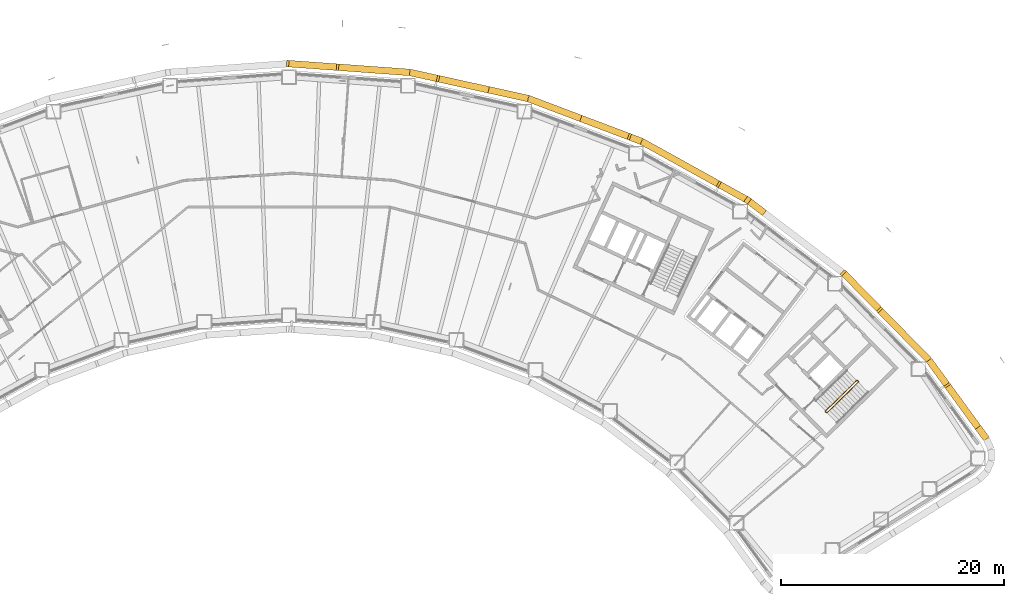
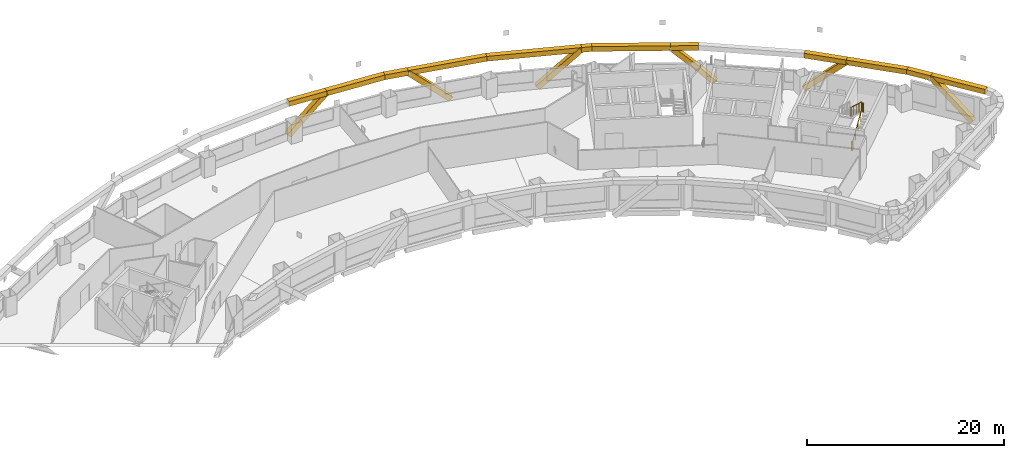
# One storey, part 18 of 19: 19 coverings, 1 railing.
"""IFC4 building model written with IfcOpenShell, lengths in metres."""

from ifc_helpers import new_model, si_unit, direction, frame, origin, origin_2d, place, context, subcontext, project, spatial, rectangle, circle, extrude, material, material_profile, profile_set, type_object, element, save


model = new_model("IFC4")

# Units and contexts
model_context = context("Model", 3, precision=1e-05, world=origin(), true_north=direction((0.0, 1.0)))
body_context = subcontext(model_context, "Body", "Model", "MODEL_VIEW")
ifc_project = project(units=[si_unit("LENGTHUNIT", "METRE"), si_unit("AREAUNIT", "SQUARE_METRE"), si_unit("VOLUMEUNIT", "CUBIC_METRE"), si_unit("PLANEANGLEUNIT", "RADIAN"), si_unit("MASSUNIT", "GRAM", prefix="KILO")], contexts=[model_context])

# Site, building, storey
site_placement = place(None, origin())
site = spatial("IfcSite", under=ifc_project, at=site_placement, CompositionType="ELEMENT")
building_placement = place(site_placement, origin())
building = spatial("IfcBuilding", under=site, at=building_placement, Name="Tuul Gate Civic Tower", CompositionType="ELEMENT")
storey_placement = place(building_placement, frame((0.0, 0.0, 56.699951171875)))
storey = spatial("IfcBuildingStorey", under=building, at=storey_placement, Name="Level 12", CompositionType="ELEMENT", Elevation=56.699951171875)

# Railing
ifc_material_1 = material(Name="Painted steel", Category="steel")
railing_type = type_object("IfcRailingType", Name="Stair guard", PredefinedType="GUARDRAIL", material=ifc_material_1)
railing_placement = place(storey_placement, frame((48.10546875, -16.134765625, 0.0)))
element("IfcRailing", 1, at=railing_placement, inside=storey, type_object=railing_type, Name="Level 12 ST-3 stair guard 1", PredefinedType="GUARDRAIL", context=body_context, shape_type="SweptSolid", body=[
    extrude(circle(Radius=0.02392578125, at=origin_2d()), frame((0.0, 0.0, 1.076171875), z_axis=(-0.698506948293, 0.715603272202, 0.0), x_axis=(-0.715603272202, -0.698506948293, 0.0)), (0.0, 0.0, 1.0), 0.099853515625),
    extrude(circle(Radius=0.02392578125, at=origin_2d()), frame((-0.06982421875, 0.071533203125, 1.076171875), z_axis=(0.644948864628, -0.331432055434, 0.688617277337), x_axis=(0.457068866502, 0.889431307788, 0.0)), (0.0, 0.0, 1.0), 0.218017578125),
    extrude(circle(Radius=0.02392578125, at=origin_2d()), frame((0.07080078125, -0.000732421875, 1.22607421875), z_axis=(0.638731261263, 0.626133563701, 0.447190268558), x_axis=(-0.700029477518, 0.714113947914, 0.0)), (0.0, 0.0, 1.0), 4.3603515625),
    extrude(circle(Radius=0.02392578125, at=origin_2d()), frame((2.85595703125, 2.7294921875, 3.17626953125), z_axis=(0.010380063588, 0.999946125689, 0.0), x_axis=(-0.999946125689, 0.010380063588, 0.0)), (0.0, 0.0, 1.0), 0.070556640625),
    extrude(circle(Radius=0.02392578125, at=origin_2d()), frame((2.856689453125, 2.800048828125, 3.17626953125), z_axis=(-0.699754442181, 0.714383454909, 0.0), x_axis=(-0.714383454909, -0.699754442181, 0.0)), (0.0, 0.0, 1.0), 0.10009765625),
    extrude(circle(Radius=0.02392578125, at=origin_2d()), frame((2.78662109375, 2.87158203125, 3.17626953125), z_axis=(-0.427069033481, 0.004417955519, 0.904208229508), x_axis=(-0.010344274102, -0.999946496565, 0.0)), (0.0, 0.0, 1.0), 0.165771484375),
    extrude(circle(Radius=0.02392578125, at=origin_2d()), frame((2.7158203125, 2.872314453125, 3.326171875), z_axis=(-0.638731261263, -0.626133563701, 0.447190268558), x_axis=(0.700029477518, -0.714113947914, 0.0)), (0.0, 0.0, 1.0), 4.3603515625),
    extrude(circle(Radius=0.02099609375, at=origin_2d()), origin(), (0.0, 0.0, 1.0), 1.052001953125),
    extrude(circle(Radius=0.02099609375, at=origin_2d()), frame((-0.06982421875, 0.071533203125, 0.0)), (0.0, 0.0, 1.0), 1.052001953125),
    extrude(circle(Radius=0.02099609375, at=origin_2d()), frame((0.07080078125, -0.000732421875, 0.150146484375)), (0.0, 0.0, 1.0), 1.052001953125),
    extrude(circle(Radius=0.02099609375, at=origin_2d()), frame((0.76708984375, 0.681884765625, 0.6376953125)), (0.0, 0.0, 1.0), 1.052001953125),
    extrude(circle(Radius=0.02099609375, at=origin_2d()), frame((1.46337890625, 1.3642578125, 1.125)), (0.0, 0.0, 1.0), 1.052001953125),
    extrude(circle(Radius=0.02099609375, at=origin_2d()), frame((2.15966796875, 2.046875, 1.612548828125)), (0.0, 0.0, 1.0), 1.052001953125),
    extrude(circle(Radius=0.02099609375, at=origin_2d()), frame((2.85595703125, 2.7294921875, 2.10009765625)), (0.0, 0.0, 1.0), 1.052001953125),
    extrude(circle(Radius=0.02099609375, at=origin_2d()), frame((2.856689453125, 2.800048828125, 2.10009765625)), (0.0, 0.0, 1.0), 1.052001953125),
    extrude(circle(Radius=0.02099609375, at=origin_2d()), frame((2.78662109375, 2.87158203125, 2.10009765625)), (0.0, 0.0, 1.0), 1.052001953125),
    extrude(circle(Radius=0.02099609375, at=origin_2d()), frame((2.7158203125, 2.872314453125, 2.25)), (0.0, 0.0, 1.0), 1.052001953125),
    extrude(circle(Radius=0.02099609375, at=origin_2d()), frame((2.01953125, 2.189697265625, 2.737548828125)), (0.0, 0.0, 1.0), 1.052001953125),
    extrude(circle(Radius=0.02099609375, at=origin_2d()), frame((1.3232421875, 1.50732421875, 3.22509765625)), (0.0, 0.0, 1.0), 1.052001953125),
    extrude(circle(Radius=0.02099609375, at=origin_2d()), frame((0.626953125, 0.82470703125, 3.71240234375)), (0.0, 0.0, 1.0), 1.052001953125),
    extrude(circle(Radius=0.02099609375, at=origin_2d()), frame((-0.0693359375, 0.14208984375, 4.199951171875)), (0.0, 0.0, 1.0), 1.052001953125),
])

# Coverings
ifc_material_2 = material(Name="Terracotta baguette", Category="masonry")
ifc_material_profile = material_profile(ifc_material_2, rectangle(XDim=0.60009765625, YDim=0.60009765625, at=origin_2d()), Name="Terracotta baguette screen frame")
ifc_profile_set = profile_set([ifc_material_profile], Name="Terracotta baguette")
covering_type = type_object("IfcCoveringType", Name="Terracotta baguette screen frame", PredefinedType="CLADDING", material=ifc_profile_set)
covering_1_placement = place(storey_placement, frame((61.5595703125, -17.285888671875, -0.349853515625), z_axis=(-0.43381273789, 0.593947335463, 0.677519793911), x_axis=(-0.807537279361, -0.589816532866, 0.0)))
element("IfcCovering", 2, at=covering_1_placement, inside=storey, type_object=covering_type, Name="Baguette 20", PredefinedType="CLADDING", context=body_context, shape_type="SweptSolid", body=[
    extrude(rectangle(XDim=0.60009765625, YDim=0.60009765625, at=origin_2d()), origin(), (0.0, 0.0, 1.0), 6.198974609375),
])
covering_2_placement = place(storey_placement, frame((58.870361328125, -13.60400390625, 3.85009765625), z_axis=(-0.589822441222, 0.807532963928, 0.0), x_axis=(-0.807532963928, -0.589822441222, 0.0)))
element("IfcCovering", 3, at=covering_2_placement, inside=storey, type_object=covering_type, Name="Baguette 25", PredefinedType="CLADDING", context=body_context, shape_type="SweptSolid", body=[
    extrude(rectangle(XDim=0.60009765625, YDim=0.60009765625, at=origin_2d()), origin(), (0.0, 0.0, 1.0), 2.68017578125),
])
covering_3_placement = place(storey_placement, frame((57.28955078125, -11.439697265625, 3.85009765625), z_axis=(-0.700001676443, 0.714141199607, 0.0), x_axis=(-0.714141199607, -0.700001676443, 0.0)))
element("IfcCovering", 4, at=covering_3_placement, inside=storey, type_object=covering_type, Name="Baguette 26", PredefinedType="CLADDING", context=body_context, shape_type="SweptSolid", body=[
    extrude(rectangle(XDim=0.60009765625, YDim=0.60009765625, at=origin_2d()), origin(), (0.0, 0.0, 1.0), 6.406005859375),
])
covering_4_placement = place(storey_placement, frame((52.805419921875, -6.864990234375, 3.85009765625), z_axis=(-0.513638362215, 0.524035247313, -0.67938405371), x_axis=(-0.714155733534, -0.699986848634, 0.0)))
element("IfcCovering", 5, at=covering_4_placement, inside=storey, type_object=covering_type, Name="Baguette 29", PredefinedType="CLADDING", context=body_context, shape_type="SweptSolid", body=[
    extrude(rectangle(XDim=0.60009765625, YDim=0.60009765625, at=origin_2d()), origin(), (0.0, 0.0, 1.0), 6.058349609375),
])
covering_5_placement = place(storey_placement, frame((42.4033203125, 1.86083984375, -0.349853515625), z_axis=(-0.583849714634, 0.444519530098, 0.679354030005), x_axis=(-0.605768691074, -0.795640806467, 0.0)))
element("IfcCovering", 6, at=covering_5_placement, inside=storey, type_object=covering_type, Name="Baguette 43", PredefinedType="CLADDING", context=body_context, shape_type="SweptSolid", body=[
    extrude(rectangle(XDim=0.60009765625, YDim=0.60009765625, at=origin_2d()), origin(), (0.0, 0.0, 1.0), 2.30078125),
])
covering_6_placement = place(storey_placement, frame((41.06005859375, 2.883544921875, 1.213134765625), z_axis=(-0.641770280565, 0.355763276181, 0.679384573202), x_axis=(-0.484834849005, -0.874605722135, 0.0)))
element("IfcCovering", 7, at=covering_6_placement, inside=storey, type_object=covering_type, Name="Baguette 44", PredefinedType="CLADDING", context=body_context, shape_type="SweptSolid", body=[
    extrude(rectangle(XDim=0.60009765625, YDim=0.60009765625, at=origin_2d()), origin(), (0.0, 0.0, 1.0), 3.88134765625),
])
covering_7_placement = place(storey_placement, frame((38.569091796875, 4.264404296875, 3.85009765625), z_axis=(-0.874634570388, 0.484782805267, 0.0), x_axis=(-0.484782805267, -0.874634570388, 0.0)))
element("IfcCovering", 8, at=covering_7_placement, inside=storey, type_object=covering_type, Name="Baguette 49", PredefinedType="CLADDING", context=body_context, shape_type="SweptSolid", body=[
    extrude(rectangle(XDim=0.60009765625, YDim=0.60009765625, at=origin_2d()), origin(), (0.0, 0.0, 1.0), 8.00341796875),
])
covering_8_placement = place(storey_placement, frame((31.569091796875, 8.144287109375, 3.85009765625), z_axis=(-0.935349569551, 0.353724727352, 0.0), x_axis=(-0.353724727352, -0.935349569551, 0.0)))
element("IfcCovering", 9, at=covering_8_placement, inside=storey, type_object=covering_type, Name="Baguette 50", PredefinedType="CLADDING", context=body_context, shape_type="SweptSolid", body=[
    extrude(rectangle(XDim=0.60009765625, YDim=0.60009765625, at=origin_2d()), origin(), (0.0, 0.0, 1.0), 1.069091796875),
])
for number, where, z_axis, x_axis, name in (
    (10, (30.569091796875, 8.5224609375, 3.85009765625), (-0.686369339444, 0.259501319303, -0.679379271947), (-0.353646511094, -0.935379145155, 0.0), "Baguette 52"),
    (11, (17.682373046875, 12.8056640625, -0.349853515625), (-0.716581439366, 0.157967801458, 0.679380022122), (-0.215277575, -0.976552899592, 0.0), "Baguette 62"),
):
    element("IfcCovering", number, at=place(storey_placement, frame(where, z_axis=z_axis, x_axis=x_axis)), inside=storey, type_object=covering_type, Name=name, PredefinedType="CLADDING", context=body_context, shape_type="SweptSolid", body=[
        extrude(rectangle(XDim=0.60009765625, YDim=0.60009765625, at=origin_2d()), origin(), (0.0, 0.0, 1.0), 6.18212890625),
    ])
covering_9_placement = place(storey_placement, frame((13.25244140625, 13.7822265625, 3.85009765625), z_axis=(-0.976534395117, 0.215361498772, 0.0), x_axis=(-0.215361498772, -0.976534395117, 0.0)))
element("IfcCovering", 12, at=covering_9_placement, inside=storey, type_object=covering_type, Name="Baguette 67", PredefinedType="CLADDING", context=body_context, shape_type="SweptSolid", body=[
    extrude(rectangle(XDim=0.60009765625, YDim=0.60009765625, at=origin_2d()), origin(), (0.0, 0.0, 1.0), 2.48828125),
])
covering_10_placement = place(storey_placement, frame((10.822509765625, 14.318115234375, 3.85009765625), z_axis=(-0.997387816704, 0.07223256253, 0.0), x_axis=(-0.07223256253, -0.997387816704, 0.0)))
element("IfcCovering", 13, at=covering_10_placement, inside=storey, type_object=covering_type, Name="Baguette 68", PredefinedType="CLADDING", context=body_context, shape_type="SweptSolid", body=[
    extrude(rectangle(XDim=0.60009765625, YDim=0.60009765625, at=origin_2d()), origin(), (0.0, 0.0, 1.0), 6.583984375),
])
covering_11_placement = place(storey_placement, frame((4.255615234375, 14.793701171875, 3.85009765625), z_axis=(-0.731865610848, 0.053028871924, -0.679382562626), x_axis=(-0.072267661138, -0.997385274181, 0.0)))
element("IfcCovering", 14, at=covering_11_placement, inside=storey, type_object=covering_type, Name="Baguette 71", PredefinedType="CLADDING", context=body_context, shape_type="SweptSolid", body=[
    extrude(rectangle(XDim=0.60009765625, YDim=0.60009765625, at=origin_2d()), origin(), (0.0, 0.0, 1.0), 5.814697265625),
])
covering_12_placement = place(storey_placement, frame((52.805419921875, -6.864990234375, 3.85009765625), z_axis=(-0.699986848634, 0.714155733534, 0.0), x_axis=(-0.714155733534, -0.699986848634, 0.0)))
element("IfcCovering", 15, at=covering_12_placement, inside=storey, type_object=covering_type, Name="Baguette 419", PredefinedType="CLADDING", context=body_context, shape_type="SweptSolid", body=[
    extrude(rectangle(XDim=0.60009765625, YDim=0.60009765625, at=origin_2d()), origin(), (0.0, 0.0, 1.0), 4.445556640625),
])
covering_13_placement = place(storey_placement, frame((41.06005859375, 2.883544921875, 3.85009765625), z_axis=(-0.874605722135, 0.484834849005, 0.0), x_axis=(-0.484834849005, -0.874605722135, 0.0)))
element("IfcCovering", 16, at=covering_13_placement, inside=storey, type_object=covering_type, Name="Baguette 421", PredefinedType="CLADDING", context=body_context, shape_type="SweptSolid", body=[
    extrude(rectangle(XDim=0.60009765625, YDim=0.60009765625, at=origin_2d()), origin(), (0.0, 0.0, 1.0), 2.84814453125),
])
covering_14_placement = place(storey_placement, frame((30.569091796875, 8.5224609375, 3.85009765625), z_axis=(-0.935381115135, 0.35364130054, 0.0), x_axis=(-0.35364130054, -0.935381115135, 0.0)))
element("IfcCovering", 17, at=covering_14_placement, inside=storey, type_object=covering_type, Name="Baguette 422", PredefinedType="CLADDING", context=body_context, shape_type="SweptSolid", body=[
    extrude(rectangle(XDim=0.60009765625, YDim=0.60009765625, at=origin_2d()), origin(), (0.0, 0.0, 1.0), 9.78173828125),
])
covering_15_placement = place(storey_placement, frame((21.41943359375, 11.981689453125, 3.85009765625), z_axis=(-0.976549052093, 0.215295027478, 0.0), x_axis=(-0.215295027478, -0.976549052093, 0.0)))
element("IfcCovering", 18, at=covering_15_placement, inside=storey, type_object=covering_type, Name="Baguette 423", PredefinedType="CLADDING", context=body_context, shape_type="SweptSolid", body=[
    extrude(rectangle(XDim=0.60009765625, YDim=0.60009765625, at=origin_2d()), origin(), (0.0, 0.0, 1.0), 8.363037109375),
])
covering_16_placement = place(storey_placement, frame((4.255615234375, 14.793701171875, 3.85009765625), z_axis=(-0.997385274181, 0.072267661138, 0.0), x_axis=(-0.072267661138, -0.997385274181, 0.0)))
element("IfcCovering", 19, at=covering_16_placement, inside=storey, type_object=covering_type, Name="Baguette 424", PredefinedType="CLADDING", context=body_context, shape_type="SweptSolid", body=[
    extrude(rectangle(XDim=0.60009765625, YDim=0.60009765625, at=origin_2d()), origin(), (0.0, 0.0, 1.0), 4.266845703125),
])
covering_17_placement = place(storey_placement, frame((62.441162109375, -18.492919921875, 3.85009765625), z_axis=(-0.589815366294, 0.807538131412, 0.0), x_axis=(-0.807538131412, -0.589815366294, 0.0)))
element("IfcCovering", 20, at=covering_17_placement, inside=storey, type_object=covering_type, Name="Baguette 456", PredefinedType="CLADDING", context=body_context, shape_type="SweptSolid", body=[
    extrude(rectangle(XDim=0.60009765625, YDim=0.60009765625, at=origin_2d()), origin(), (0.0, 0.0, 1.0), 6.05419921875),
])

save(model, "model.ifc")
